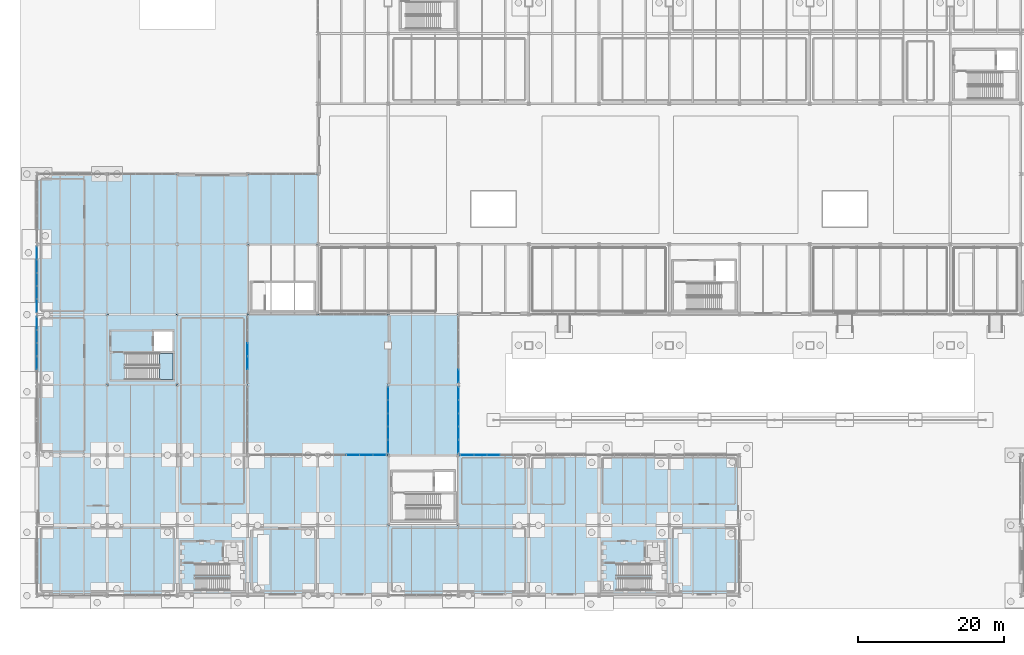
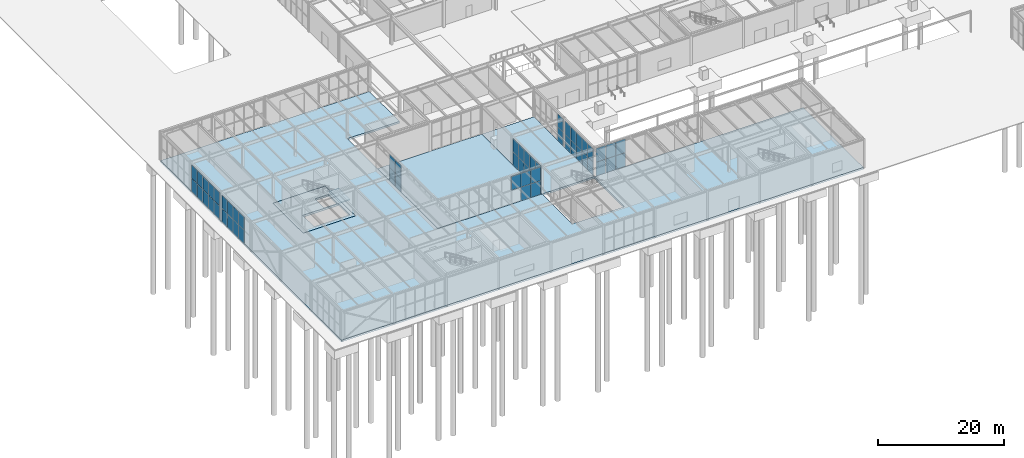
# One storey, part 105 of 142: 55 plates, 5 slabs, 9 elements without a shape of their own.
"""IFC4 building model written with IfcOpenShell, lengths in metres."""

from ifc_helpers import new_model, si_unit, direction, frame, origin, origin_2d, place, context, subcontext, project, spatial, polyline, rectangle, outline, extrude, material, layer, layer_set, type_object, element, aggregate, save


model = new_model("IFC4")

# Units and contexts
model_context = context("Model", 3, precision=1e-05, world=origin(), true_north=direction((0.0, 1.0)))
body_context = subcontext(model_context, "Body", "Model", "MODEL_VIEW")
ifc_project = project(units=[si_unit("LENGTHUNIT", "METRE"), si_unit("AREAUNIT", "SQUARE_METRE"), si_unit("VOLUMEUNIT", "CUBIC_METRE"), si_unit("PLANEANGLEUNIT", "RADIAN"), si_unit("MASSUNIT", "GRAM", prefix="KILO")], contexts=[model_context])

# Site, building, storey
site_placement = place(None, origin())
site = spatial("IfcSite", under=ifc_project, at=site_placement, CompositionType="ELEMENT")
building_placement = place(site_placement, origin())
building = spatial("IfcBuilding", under=site, at=building_placement, Name="Coralgate Yard Interchange", CompositionType="ELEMENT")
storey_placement = place(building_placement, origin())
storey = spatial("IfcBuildingStorey", under=building, at=storey_placement, Name="L00", CompositionType="ELEMENT", Elevation=0.0)

# Curtain wall, plates
ifc_material_1 = material(Name="Anodised coastal aluminium and solar-control low-E glass", Category="aluminium")
curtain_wall_type_1 = type_object("IfcCurtainWallType", Name="CW-CW-L00-A", PredefinedType="NOTDEFINED", material=ifc_material_1)
curtain_wall_1_placement = place(storey_placement, origin())
curtain_wall_1 = element("IfcCurtainWall", 1, at=curtain_wall_1_placement, inside=storey, type_object=curtain_wall_type_1, Name="L00 unitised curtain wall CW-L00-W-00-03", PredefinedType="NOTDEFINED")
ifc_material_2 = material(Name="Solar-control double-glazed low-E glass unit", Category="glass")
ifc_layer_1 = layer(ifc_material_2, 0.0419921875)
ifc_layer_set_1 = layer_set([ifc_layer_1], Name="Solar-control double-glazed low-E glass unit")
plate_type = type_object("IfcPlateType", Name="PLT-CP-42", PredefinedType="CURTAIN_PANEL", material=ifc_layer_set_1)
plate_1_placement = place(storey_placement, frame((0.0, 31.800048828125, 0.02490234375), z_axis=(0.0, 0.0, 1.0), x_axis=(0.0, 1.0, 0.0)))
plate_1 = element("IfcPlate", 2, at=plate_1_placement, type_object=plate_type, Name="CW-L00-W-00-03 solar-control glazing panel 2-1", PredefinedType="CURTAIN_PANEL", context=body_context, shape_type="SweptSolid", body=[
    extrude(rectangle(XDim=1.75, YDim=0.0419921875, at=origin_2d()), origin(), (0.0, 0.0, 1.0), 2.558349609375),
])
plate_2_placement = place(storey_placement, frame((0.0, 31.800048828125, 2.63330078125), z_axis=(0.0, 0.0, 1.0), x_axis=(0.0, 1.0, 0.0)))
plate_2 = element("IfcPlate", 3, at=plate_2_placement, type_object=plate_type, Name="CW-L00-W-00-03 solar-control glazing panel 2-2", PredefinedType="CURTAIN_PANEL", context=body_context, shape_type="SweptSolid", body=[
    extrude(rectangle(XDim=1.75, YDim=0.0419921875, at=origin_2d()), origin(), (0.0, 0.0, 1.0), 2.558349609375),
])
plate_3_placement = place(storey_placement, frame((0.0, 33.60009765625, 0.02490234375), z_axis=(0.0, 0.0, 1.0), x_axis=(0.0, 1.0, 0.0)))
plate_3 = element("IfcPlate", 4, at=plate_3_placement, type_object=plate_type, Name="CW-L00-W-00-03 solar-control glazing panel 3-1", PredefinedType="CURTAIN_PANEL", context=body_context, shape_type="SweptSolid", body=[
    extrude(rectangle(XDim=1.75, YDim=0.0419921875, at=origin_2d()), origin(), (0.0, 0.0, 1.0), 2.558349609375),
])
plate_4_placement = place(storey_placement, frame((0.0, 33.60009765625, 2.63330078125), z_axis=(0.0, 0.0, 1.0), x_axis=(0.0, 1.0, 0.0)))
plate_4 = element("IfcPlate", 5, at=plate_4_placement, type_object=plate_type, Name="CW-L00-W-00-03 solar-control glazing panel 3-2", PredefinedType="CURTAIN_PANEL", context=body_context, shape_type="SweptSolid", body=[
    extrude(rectangle(XDim=1.75, YDim=0.0419921875, at=origin_2d()), origin(), (0.0, 0.0, 1.0), 2.558349609375),
])
plate_5_placement = place(storey_placement, frame((0.0, 35.39990234375, 0.02490234375), z_axis=(0.0, 0.0, 1.0), x_axis=(0.0, 1.0, 0.0)))
plate_5 = element("IfcPlate", 6, at=plate_5_placement, type_object=plate_type, Name="CW-L00-W-00-03 solar-control glazing panel 4-1", PredefinedType="CURTAIN_PANEL", context=body_context, shape_type="SweptSolid", body=[
    extrude(rectangle(XDim=1.75, YDim=0.0419921875, at=origin_2d()), origin(), (0.0, 0.0, 1.0), 2.558349609375),
])
plate_6_placement = place(storey_placement, frame((0.0, 35.39990234375, 2.63330078125), z_axis=(0.0, 0.0, 1.0), x_axis=(0.0, 1.0, 0.0)))
plate_6 = element("IfcPlate", 7, at=plate_6_placement, type_object=plate_type, Name="CW-L00-W-00-03 solar-control glazing panel 4-2", PredefinedType="CURTAIN_PANEL", context=body_context, shape_type="SweptSolid", body=[
    extrude(rectangle(XDim=1.75, YDim=0.0419921875, at=origin_2d()), origin(), (0.0, 0.0, 1.0), 2.558349609375),
])
plate_7_placement = place(storey_placement, frame((0.0, 37.199951171875, 0.02490234375), z_axis=(0.0, 0.0, 1.0), x_axis=(0.0, 1.0, 0.0)))
plate_7 = element("IfcPlate", 8, at=plate_7_placement, type_object=plate_type, Name="CW-L00-W-00-03 solar-control glazing panel 5-1", PredefinedType="CURTAIN_PANEL", context=body_context, shape_type="SweptSolid", body=[
    extrude(rectangle(XDim=1.75, YDim=0.0419921875, at=origin_2d()), origin(), (0.0, 0.0, 1.0), 2.558349609375),
])
plate_8_placement = place(storey_placement, frame((0.0, 37.199951171875, 2.63330078125), z_axis=(0.0, 0.0, 1.0), x_axis=(0.0, 1.0, 0.0)))
plate_8 = element("IfcPlate", 9, at=plate_8_placement, type_object=plate_type, Name="CW-L00-W-00-03 solar-control glazing panel 5-2", PredefinedType="CURTAIN_PANEL", context=body_context, shape_type="SweptSolid", body=[
    extrude(rectangle(XDim=1.75, YDim=0.0419921875, at=origin_2d()), origin(), (0.0, 0.0, 1.0), 2.558349609375),
])
aggregate(curtain_wall_1, [plate_1, plate_2, plate_3, plate_4, plate_5, plate_6, plate_7, plate_8])

curtain_wall_type_2 = type_object("IfcCurtainWallType", Name="CW-CW-L00-B", PredefinedType="NOTDEFINED", material=ifc_material_1)
curtain_wall_2_placement = place(storey_placement, origin())
curtain_wall_2 = element("IfcCurtainWall", 10, at=curtain_wall_2_placement, inside=storey, type_object=curtain_wall_type_2, Name="L00 unitised curtain wall CW-L00-W-00-04", PredefinedType="NOTDEFINED")
plate_9_placement = place(storey_placement, frame((0.0, 39.60009765625, 0.02490234375), z_axis=(0.0, 0.0, 1.0), x_axis=(0.0, 1.0, 0.0)))
plate_9 = element("IfcPlate", 11, at=plate_9_placement, type_object=plate_type, Name="CW-L00-W-00-04 solar-control glazing panel 1-1", PredefinedType="CURTAIN_PANEL", context=body_context, shape_type="SweptSolid", body=[
    extrude(rectangle(XDim=1.75, YDim=0.0419921875, at=origin_2d()), origin(), (0.0, 0.0, 1.0), 2.558349609375),
])
plate_10_placement = place(storey_placement, frame((0.0, 39.60009765625, 2.63330078125), z_axis=(0.0, 0.0, 1.0), x_axis=(0.0, 1.0, 0.0)))
plate_10 = element("IfcPlate", 12, at=plate_10_placement, type_object=plate_type, Name="CW-L00-W-00-04 solar-control glazing panel 1-2", PredefinedType="CURTAIN_PANEL", context=body_context, shape_type="SweptSolid", body=[
    extrude(rectangle(XDim=1.75, YDim=0.0419921875, at=origin_2d()), origin(), (0.0, 0.0, 1.0), 2.558349609375),
])
plate_11_placement = place(storey_placement, frame((0.0, 41.39990234375, 0.02490234375), z_axis=(0.0, 0.0, 1.0), x_axis=(0.0, 1.0, 0.0)))
plate_11 = element("IfcPlate", 13, at=plate_11_placement, type_object=plate_type, Name="CW-L00-W-00-04 solar-control glazing panel 2-1", PredefinedType="CURTAIN_PANEL", context=body_context, shape_type="SweptSolid", body=[
    extrude(rectangle(XDim=1.75, YDim=0.0419921875, at=origin_2d()), origin(), (0.0, 0.0, 1.0), 2.558349609375),
])
plate_12_placement = place(storey_placement, frame((0.0, 41.39990234375, 2.63330078125), z_axis=(0.0, 0.0, 1.0), x_axis=(0.0, 1.0, 0.0)))
plate_12 = element("IfcPlate", 14, at=plate_12_placement, type_object=plate_type, Name="CW-L00-W-00-04 solar-control glazing panel 2-2", PredefinedType="CURTAIN_PANEL", context=body_context, shape_type="SweptSolid", body=[
    extrude(rectangle(XDim=1.75, YDim=0.0419921875, at=origin_2d()), origin(), (0.0, 0.0, 1.0), 2.558349609375),
])
plate_13_placement = place(storey_placement, frame((0.0, 43.199951171875, 0.02490234375), z_axis=(0.0, 0.0, 1.0), x_axis=(0.0, 1.0, 0.0)))
plate_13 = element("IfcPlate", 15, at=plate_13_placement, type_object=plate_type, Name="CW-L00-W-00-04 solar-control glazing panel 3-1", PredefinedType="CURTAIN_PANEL", context=body_context, shape_type="SweptSolid", body=[
    extrude(rectangle(XDim=1.75, YDim=0.0419921875, at=origin_2d()), origin(), (0.0, 0.0, 1.0), 2.558349609375),
])
plate_14_placement = place(storey_placement, frame((0.0, 43.199951171875, 2.63330078125), z_axis=(0.0, 0.0, 1.0), x_axis=(0.0, 1.0, 0.0)))
plate_14 = element("IfcPlate", 16, at=plate_14_placement, type_object=plate_type, Name="CW-L00-W-00-04 solar-control glazing panel 3-2", PredefinedType="CURTAIN_PANEL", context=body_context, shape_type="SweptSolid", body=[
    extrude(rectangle(XDim=1.75, YDim=0.0419921875, at=origin_2d()), origin(), (0.0, 0.0, 1.0), 2.558349609375),
])
plate_15_placement = place(storey_placement, frame((0.0, 45.0, 0.02490234375), z_axis=(0.0, 0.0, 1.0), x_axis=(0.0, 1.0, 0.0)))
plate_15 = element("IfcPlate", 17, at=plate_15_placement, type_object=plate_type, Name="CW-L00-W-00-04 solar-control glazing panel 4-1", PredefinedType="CURTAIN_PANEL", context=body_context, shape_type="SweptSolid", body=[
    extrude(rectangle(XDim=1.75, YDim=0.0419921875, at=origin_2d()), origin(), (0.0, 0.0, 1.0), 2.558349609375),
])
plate_16_placement = place(storey_placement, frame((0.0, 45.0, 2.63330078125), z_axis=(0.0, 0.0, 1.0), x_axis=(0.0, 1.0, 0.0)))
plate_16 = element("IfcPlate", 18, at=plate_16_placement, type_object=plate_type, Name="CW-L00-W-00-04 solar-control glazing panel 4-2", PredefinedType="CURTAIN_PANEL", context=body_context, shape_type="SweptSolid", body=[
    extrude(rectangle(XDim=1.75, YDim=0.0419921875, at=origin_2d()), origin(), (0.0, 0.0, 1.0), 2.558349609375),
])
plate_17_placement = place(storey_placement, frame((0.0, 46.800048828125, 0.02490234375), z_axis=(0.0, 0.0, 1.0), x_axis=(0.0, 1.0, 0.0)))
plate_17 = element("IfcPlate", 19, at=plate_17_placement, type_object=plate_type, Name="CW-L00-W-00-04 solar-control glazing panel 5-1", PredefinedType="CURTAIN_PANEL", context=body_context, shape_type="SweptSolid", body=[
    extrude(rectangle(XDim=1.75, YDim=0.0419921875, at=origin_2d()), origin(), (0.0, 0.0, 1.0), 2.558349609375),
])
plate_18_placement = place(storey_placement, frame((0.0, 46.800048828125, 2.63330078125), z_axis=(0.0, 0.0, 1.0), x_axis=(0.0, 1.0, 0.0)))
plate_18 = element("IfcPlate", 20, at=plate_18_placement, type_object=plate_type, Name="CW-L00-W-00-04 solar-control glazing panel 5-2", PredefinedType="CURTAIN_PANEL", context=body_context, shape_type="SweptSolid", body=[
    extrude(rectangle(XDim=1.75, YDim=0.0419921875, at=origin_2d()), origin(), (0.0, 0.0, 1.0), 2.558349609375),
])
aggregate(curtain_wall_2, [plate_9, plate_10, plate_11, plate_12, plate_13, plate_14, plate_15, plate_16, plate_17, plate_18])

curtain_wall_3_placement = place(storey_placement, origin())
curtain_wall_3 = element("IfcCurtainWall", 21, at=curtain_wall_3_placement, inside=storey, type_object=curtain_wall_type_1, Name="L00 unitised curtain wall CW-L00-E-02-03", PredefinedType="NOTDEFINED")
plate_19_placement = place(storey_placement, frame((28.800048828125, 33.60009765625, 0.02490234375), z_axis=(0.0, 0.0, 1.0), x_axis=(0.0, -1.0, 0.0)))
plate_19 = element("IfcPlate", 22, at=plate_19_placement, type_object=plate_type, Name="CW-L00-E-02-03 solar-control glazing panel 3-1", PredefinedType="CURTAIN_PANEL", context=body_context, shape_type="SweptSolid", body=[
    extrude(rectangle(XDim=1.75, YDim=0.0419921875, at=origin_2d()), origin(), (0.0, 0.0, 1.0), 2.558349609375),
])
plate_20_placement = place(storey_placement, frame((28.800048828125, 33.60009765625, 2.63330078125), z_axis=(0.0, 0.0, 1.0), x_axis=(0.0, -1.0, 0.0)))
plate_20 = element("IfcPlate", 23, at=plate_20_placement, type_object=plate_type, Name="CW-L00-E-02-03 solar-control glazing panel 3-2", PredefinedType="CURTAIN_PANEL", context=body_context, shape_type="SweptSolid", body=[
    extrude(rectangle(XDim=1.75, YDim=0.0419921875, at=origin_2d()), origin(), (0.0, 0.0, 1.0), 2.558349609375),
])
plate_21_placement = place(storey_placement, frame((28.800048828125, 31.800048828125, 0.02490234375), z_axis=(0.0, 0.0, 1.0), x_axis=(0.0, -1.0, 0.0)))
plate_21 = element("IfcPlate", 24, at=plate_21_placement, type_object=plate_type, Name="CW-L00-E-02-03 solar-control glazing panel 4-1", PredefinedType="CURTAIN_PANEL", context=body_context, shape_type="SweptSolid", body=[
    extrude(rectangle(XDim=1.75, YDim=0.0419921875, at=origin_2d()), origin(), (0.0, 0.0, 1.0), 2.558349609375),
])
plate_22_placement = place(storey_placement, frame((28.800048828125, 31.800048828125, 2.63330078125), z_axis=(0.0, 0.0, 1.0), x_axis=(0.0, -1.0, 0.0)))
plate_22 = element("IfcPlate", 25, at=plate_22_placement, type_object=plate_type, Name="CW-L00-E-02-03 solar-control glazing panel 4-2", PredefinedType="CURTAIN_PANEL", context=body_context, shape_type="SweptSolid", body=[
    extrude(rectangle(XDim=1.75, YDim=0.0419921875, at=origin_2d()), origin(), (0.0, 0.0, 1.0), 2.558349609375),
])
aggregate(curtain_wall_3, [plate_19, plate_20, plate_21, plate_22])

curtain_wall_4_placement = place(storey_placement, origin())
curtain_wall_4 = element("IfcCurtainWall", 26, at=curtain_wall_4_placement, inside=storey, type_object=curtain_wall_type_2, Name="L00 unitised curtain wall CW-L00-N-04-01", PredefinedType="NOTDEFINED")
plate_23_placement = place(storey_placement, frame((43.199951171875, 19.199951171875, 2.72509765625), z_axis=(0.0, 0.0, 1.0), x_axis=(1.0, 0.0, 0.0)))
plate_23 = element("IfcPlate", 27, at=plate_23_placement, type_object=plate_type, Name="CW-L00-N-04-01 solar-control glazing panel 3-2", PredefinedType="CURTAIN_PANEL", context=body_context, shape_type="SweptSolid", body=[
    extrude(rectangle(XDim=1.75, YDim=0.0419921875, at=origin_2d()), origin(), (0.0, 0.0, 1.0), 2.64990234375),
])
plate_24_placement = place(storey_placement, frame((45.0, 19.199951171875, 0.025146484375), z_axis=(0.0, 0.0, 1.0), x_axis=(1.0, 0.0, 0.0)))
plate_24 = element("IfcPlate", 28, at=plate_24_placement, type_object=plate_type, Name="CW-L00-N-04-01 solar-control glazing panel 4-1", PredefinedType="CURTAIN_PANEL", context=body_context, shape_type="SweptSolid", body=[
    extrude(rectangle(XDim=1.75, YDim=0.0419921875, at=origin_2d()), origin(), (0.0, 0.0, 1.0), 2.64990234375),
])
plate_25_placement = place(storey_placement, frame((45.0, 19.199951171875, 2.72509765625), z_axis=(0.0, 0.0, 1.0), x_axis=(1.0, 0.0, 0.0)))
plate_25 = element("IfcPlate", 29, at=plate_25_placement, type_object=plate_type, Name="CW-L00-N-04-01 solar-control glazing panel 4-2", PredefinedType="CURTAIN_PANEL", context=body_context, shape_type="SweptSolid", body=[
    extrude(rectangle(XDim=1.75, YDim=0.0419921875, at=origin_2d()), origin(), (0.0, 0.0, 1.0), 2.64990234375),
])
plate_26_placement = place(storey_placement, frame((46.800048828125, 19.199951171875, 0.025146484375), z_axis=(0.0, 0.0, 1.0), x_axis=(1.0, 0.0, 0.0)))
plate_26 = element("IfcPlate", 30, at=plate_26_placement, type_object=plate_type, Name="CW-L00-N-04-01 solar-control glazing panel 5-1", PredefinedType="CURTAIN_PANEL", context=body_context, shape_type="SweptSolid", body=[
    extrude(rectangle(XDim=1.75, YDim=0.0419921875, at=origin_2d()), origin(), (0.0, 0.0, 1.0), 2.64990234375),
])
plate_27_placement = place(storey_placement, frame((46.800048828125, 19.199951171875, 2.72509765625), z_axis=(0.0, 0.0, 1.0), x_axis=(1.0, 0.0, 0.0)))
plate_27 = element("IfcPlate", 31, at=plate_27_placement, type_object=plate_type, Name="CW-L00-N-04-01 solar-control glazing panel 5-2", PredefinedType="CURTAIN_PANEL", context=body_context, shape_type="SweptSolid", body=[
    extrude(rectangle(XDim=1.75, YDim=0.0419921875, at=origin_2d()), origin(), (0.0, 0.0, 1.0), 2.64990234375),
])
aggregate(curtain_wall_4, [plate_23, plate_24, plate_25, plate_26, plate_27])

curtain_wall_5_placement = place(storey_placement, origin())
curtain_wall_5 = element("IfcCurtainWall", 32, at=curtain_wall_5_placement, inside=storey, type_object=curtain_wall_type_2, Name="L00 unitised curtain wall CW-L00-W-05-02", PredefinedType="NOTDEFINED")
plate_28_placement = place(storey_placement, frame((48.0, 20.39990234375, 0.02490234375), z_axis=(0.0, 0.0, 1.0), x_axis=(0.0, 1.0, 0.0)))
plate_28 = element("IfcPlate", 33, at=plate_28_placement, type_object=plate_type, Name="CW-L00-W-05-02 solar-control glazing panel 1-1", PredefinedType="CURTAIN_PANEL", context=body_context, shape_type="SweptSolid", body=[
    extrude(rectangle(XDim=1.75, YDim=0.0419921875, at=origin_2d()), origin(), (0.0, 0.0, 1.0), 2.558349609375),
])
plate_29_placement = place(storey_placement, frame((48.0, 20.39990234375, 2.63330078125), z_axis=(0.0, 0.0, 1.0), x_axis=(0.0, 1.0, 0.0)))
plate_29 = element("IfcPlate", 34, at=plate_29_placement, type_object=plate_type, Name="CW-L00-W-05-02 solar-control glazing panel 1-2", PredefinedType="CURTAIN_PANEL", context=body_context, shape_type="SweptSolid", body=[
    extrude(rectangle(XDim=1.75, YDim=0.0419921875, at=origin_2d()), origin(), (0.0, 0.0, 1.0), 2.558349609375),
])
plate_30_placement = place(storey_placement, frame((48.0, 22.199951171875, 0.02490234375), z_axis=(0.0, 0.0, 1.0), x_axis=(0.0, 1.0, 0.0)))
plate_30 = element("IfcPlate", 35, at=plate_30_placement, type_object=plate_type, Name="CW-L00-W-05-02 solar-control glazing panel 2-1", PredefinedType="CURTAIN_PANEL", context=body_context, shape_type="SweptSolid", body=[
    extrude(rectangle(XDim=1.75, YDim=0.0419921875, at=origin_2d()), origin(), (0.0, 0.0, 1.0), 2.558349609375),
])
plate_31_placement = place(storey_placement, frame((48.0, 22.199951171875, 2.63330078125), z_axis=(0.0, 0.0, 1.0), x_axis=(0.0, 1.0, 0.0)))
plate_31 = element("IfcPlate", 36, at=plate_31_placement, type_object=plate_type, Name="CW-L00-W-05-02 solar-control glazing panel 2-2", PredefinedType="CURTAIN_PANEL", context=body_context, shape_type="SweptSolid", body=[
    extrude(rectangle(XDim=1.75, YDim=0.0419921875, at=origin_2d()), origin(), (0.0, 0.0, 1.0), 2.558349609375),
])
plate_32_placement = place(storey_placement, frame((48.0, 24.0, 0.02490234375), z_axis=(0.0, 0.0, 1.0), x_axis=(0.0, 1.0, 0.0)))
plate_32 = element("IfcPlate", 37, at=plate_32_placement, type_object=plate_type, Name="CW-L00-W-05-02 solar-control glazing panel 3-1", PredefinedType="CURTAIN_PANEL", context=body_context, shape_type="SweptSolid", body=[
    extrude(rectangle(XDim=1.75, YDim=0.0419921875, at=origin_2d()), origin(), (0.0, 0.0, 1.0), 2.558349609375),
])
plate_33_placement = place(storey_placement, frame((48.0, 24.0, 2.63330078125), z_axis=(0.0, 0.0, 1.0), x_axis=(0.0, 1.0, 0.0)))
plate_33 = element("IfcPlate", 38, at=plate_33_placement, type_object=plate_type, Name="CW-L00-W-05-02 solar-control glazing panel 3-2", PredefinedType="CURTAIN_PANEL", context=body_context, shape_type="SweptSolid", body=[
    extrude(rectangle(XDim=1.75, YDim=0.0419921875, at=origin_2d()), origin(), (0.0, 0.0, 1.0), 2.558349609375),
])
plate_34_placement = place(storey_placement, frame((48.0, 25.800048828125, 0.02490234375), z_axis=(0.0, 0.0, 1.0), x_axis=(0.0, 1.0, 0.0)))
plate_34 = element("IfcPlate", 39, at=plate_34_placement, type_object=plate_type, Name="CW-L00-W-05-02 solar-control glazing panel 4-1", PredefinedType="CURTAIN_PANEL", context=body_context, shape_type="SweptSolid", body=[
    extrude(rectangle(XDim=1.75, YDim=0.0419921875, at=origin_2d()), origin(), (0.0, 0.0, 1.0), 2.558349609375),
])
plate_35_placement = place(storey_placement, frame((48.0, 25.800048828125, 2.63330078125), z_axis=(0.0, 0.0, 1.0), x_axis=(0.0, 1.0, 0.0)))
plate_35 = element("IfcPlate", 40, at=plate_35_placement, type_object=plate_type, Name="CW-L00-W-05-02 solar-control glazing panel 4-2", PredefinedType="CURTAIN_PANEL", context=body_context, shape_type="SweptSolid", body=[
    extrude(rectangle(XDim=1.75, YDim=0.0419921875, at=origin_2d()), origin(), (0.0, 0.0, 1.0), 2.558349609375),
])
plate_36_placement = place(storey_placement, frame((48.0, 27.60009765625, 0.02490234375), z_axis=(0.0, 0.0, 1.0), x_axis=(0.0, 1.0, 0.0)))
plate_36 = element("IfcPlate", 41, at=plate_36_placement, type_object=plate_type, Name="CW-L00-W-05-02 solar-control glazing panel 5-1", PredefinedType="CURTAIN_PANEL", context=body_context, shape_type="SweptSolid", body=[
    extrude(rectangle(XDim=1.75, YDim=0.0419921875, at=origin_2d()), origin(), (0.0, 0.0, 1.0), 2.558349609375),
])
plate_37_placement = place(storey_placement, frame((48.0, 27.60009765625, 2.63330078125), z_axis=(0.0, 0.0, 1.0), x_axis=(0.0, 1.0, 0.0)))
plate_37 = element("IfcPlate", 42, at=plate_37_placement, type_object=plate_type, Name="CW-L00-W-05-02 solar-control glazing panel 5-2", PredefinedType="CURTAIN_PANEL", context=body_context, shape_type="SweptSolid", body=[
    extrude(rectangle(XDim=1.75, YDim=0.0419921875, at=origin_2d()), origin(), (0.0, 0.0, 1.0), 2.558349609375),
])
aggregate(curtain_wall_5, [plate_28, plate_29, plate_30, plate_31, plate_32, plate_33, plate_34, plate_35, plate_36, plate_37])

curtain_wall_6_placement = place(storey_placement, origin())
curtain_wall_6 = element("IfcCurtainWall", 43, at=curtain_wall_6_placement, inside=storey, type_object=curtain_wall_type_1, Name="L00 unitised curtain wall CW-L00-E-05-02", PredefinedType="NOTDEFINED")
plate_38_placement = place(storey_placement, frame((57.60009765625, 27.60009765625, 0.02490234375), z_axis=(0.0, 0.0, 1.0), x_axis=(0.0, -1.0, 0.0)))
plate_38 = element("IfcPlate", 44, at=plate_38_placement, type_object=plate_type, Name="CW-L00-E-05-02 solar-control glazing panel 1-1", PredefinedType="CURTAIN_PANEL", context=body_context, shape_type="SweptSolid", body=[
    extrude(rectangle(XDim=1.75, YDim=0.0419921875, at=origin_2d()), origin(), (0.0, 0.0, 1.0), 2.558349609375),
])
plate_39_placement = place(storey_placement, frame((57.60009765625, 27.60009765625, 2.63330078125), z_axis=(0.0, 0.0, 1.0), x_axis=(0.0, -1.0, 0.0)))
plate_39 = element("IfcPlate", 45, at=plate_39_placement, type_object=plate_type, Name="CW-L00-E-05-02 solar-control glazing panel 1-2", PredefinedType="CURTAIN_PANEL", context=body_context, shape_type="SweptSolid", body=[
    extrude(rectangle(XDim=1.75, YDim=0.0419921875, at=origin_2d()), origin(), (0.0, 0.0, 1.0), 2.558349609375),
])
plate_40_placement = place(storey_placement, frame((57.60009765625, 25.800048828125, 0.02490234375), z_axis=(0.0, 0.0, 1.0), x_axis=(0.0, -1.0, 0.0)))
plate_40 = element("IfcPlate", 46, at=plate_40_placement, type_object=plate_type, Name="CW-L00-E-05-02 solar-control glazing panel 2-1", PredefinedType="CURTAIN_PANEL", context=body_context, shape_type="SweptSolid", body=[
    extrude(rectangle(XDim=1.75, YDim=0.0419921875, at=origin_2d()), origin(), (0.0, 0.0, 1.0), 2.558349609375),
])
plate_41_placement = place(storey_placement, frame((57.60009765625, 25.800048828125, 2.63330078125), z_axis=(0.0, 0.0, 1.0), x_axis=(0.0, -1.0, 0.0)))
plate_41 = element("IfcPlate", 47, at=plate_41_placement, type_object=plate_type, Name="CW-L00-E-05-02 solar-control glazing panel 2-2", PredefinedType="CURTAIN_PANEL", context=body_context, shape_type="SweptSolid", body=[
    extrude(rectangle(XDim=1.75, YDim=0.0419921875, at=origin_2d()), origin(), (0.0, 0.0, 1.0), 2.558349609375),
])
plate_42_placement = place(storey_placement, frame((57.60009765625, 24.0, 0.02490234375), z_axis=(0.0, 0.0, 1.0), x_axis=(0.0, -1.0, 0.0)))
plate_42 = element("IfcPlate", 48, at=plate_42_placement, type_object=plate_type, Name="CW-L00-E-05-02 solar-control glazing panel 3-1", PredefinedType="CURTAIN_PANEL", context=body_context, shape_type="SweptSolid", body=[
    extrude(rectangle(XDim=1.75, YDim=0.0419921875, at=origin_2d()), origin(), (0.0, 0.0, 1.0), 2.558349609375),
])
plate_43_placement = place(storey_placement, frame((57.60009765625, 24.0, 2.63330078125), z_axis=(0.0, 0.0, 1.0), x_axis=(0.0, -1.0, 0.0)))
plate_43 = element("IfcPlate", 49, at=plate_43_placement, type_object=plate_type, Name="CW-L00-E-05-02 solar-control glazing panel 3-2", PredefinedType="CURTAIN_PANEL", context=body_context, shape_type="SweptSolid", body=[
    extrude(rectangle(XDim=1.75, YDim=0.0419921875, at=origin_2d()), origin(), (0.0, 0.0, 1.0), 2.558349609375),
])
plate_44_placement = place(storey_placement, frame((57.60009765625, 22.199951171875, 0.02490234375), z_axis=(0.0, 0.0, 1.0), x_axis=(0.0, -1.0, 0.0)))
plate_44 = element("IfcPlate", 50, at=plate_44_placement, type_object=plate_type, Name="CW-L00-E-05-02 solar-control glazing panel 4-1", PredefinedType="CURTAIN_PANEL", context=body_context, shape_type="SweptSolid", body=[
    extrude(rectangle(XDim=1.75, YDim=0.0419921875, at=origin_2d()), origin(), (0.0, 0.0, 1.0), 2.558349609375),
])
plate_45_placement = place(storey_placement, frame((57.60009765625, 22.199951171875, 2.63330078125), z_axis=(0.0, 0.0, 1.0), x_axis=(0.0, -1.0, 0.0)))
plate_45 = element("IfcPlate", 51, at=plate_45_placement, type_object=plate_type, Name="CW-L00-E-05-02 solar-control glazing panel 4-2", PredefinedType="CURTAIN_PANEL", context=body_context, shape_type="SweptSolid", body=[
    extrude(rectangle(XDim=1.75, YDim=0.0419921875, at=origin_2d()), origin(), (0.0, 0.0, 1.0), 2.558349609375),
])
plate_46_placement = place(storey_placement, frame((57.60009765625, 20.39990234375, 0.02490234375), z_axis=(0.0, 0.0, 1.0), x_axis=(0.0, -1.0, 0.0)))
plate_46 = element("IfcPlate", 52, at=plate_46_placement, type_object=plate_type, Name="CW-L00-E-05-02 solar-control glazing panel 5-1", PredefinedType="CURTAIN_PANEL", context=body_context, shape_type="SweptSolid", body=[
    extrude(rectangle(XDim=1.75, YDim=0.0419921875, at=origin_2d()), origin(), (0.0, 0.0, 1.0), 2.558349609375),
])
plate_47_placement = place(storey_placement, frame((57.60009765625, 20.39990234375, 2.63330078125), z_axis=(0.0, 0.0, 1.0), x_axis=(0.0, -1.0, 0.0)))
plate_47 = element("IfcPlate", 53, at=plate_47_placement, type_object=plate_type, Name="CW-L00-E-05-02 solar-control glazing panel 5-2", PredefinedType="CURTAIN_PANEL", context=body_context, shape_type="SweptSolid", body=[
    extrude(rectangle(XDim=1.75, YDim=0.0419921875, at=origin_2d()), origin(), (0.0, 0.0, 1.0), 2.558349609375),
])
aggregate(curtain_wall_6, [plate_38, plate_39, plate_40, plate_41, plate_42, plate_43, plate_44, plate_45, plate_46, plate_47])

curtain_wall_7_placement = place(storey_placement, origin())
curtain_wall_7 = element("IfcCurtainWall", 54, at=curtain_wall_7_placement, inside=storey, type_object=curtain_wall_type_1, Name="L00 unitised curtain wall CW-L00-E-05-03", PredefinedType="NOTDEFINED")
plate_48_placement = place(storey_placement, frame((57.60009765625, 30.0, 0.02490234375), z_axis=(0.0, 0.0, 1.0), x_axis=(0.0, -1.0, 0.0)))
plate_48 = element("IfcPlate", 55, at=plate_48_placement, type_object=plate_type, Name="CW-L00-E-05-03 solar-control glazing panel 5-1", PredefinedType="CURTAIN_PANEL", context=body_context, shape_type="SweptSolid", body=[
    extrude(rectangle(XDim=1.75, YDim=0.0419921875, at=origin_2d()), origin(), (0.0, 0.0, 1.0), 2.558349609375),
])
plate_49_placement = place(storey_placement, frame((57.60009765625, 30.0, 2.63330078125), z_axis=(0.0, 0.0, 1.0), x_axis=(0.0, -1.0, 0.0)))
plate_49 = element("IfcPlate", 56, at=plate_49_placement, type_object=plate_type, Name="CW-L00-E-05-03 solar-control glazing panel 5-2", PredefinedType="CURTAIN_PANEL", context=body_context, shape_type="SweptSolid", body=[
    extrude(rectangle(XDim=1.75, YDim=0.0419921875, at=origin_2d()), origin(), (0.0, 0.0, 1.0), 2.558349609375),
])
aggregate(curtain_wall_7, [plate_48, plate_49])

curtain_wall_8_placement = place(storey_placement, origin())
curtain_wall_8 = element("IfcCurtainWall", 57, at=curtain_wall_8_placement, inside=storey, type_object=curtain_wall_type_2, Name="L00 unitised curtain wall CW-L00-N-06-01", PredefinedType="NOTDEFINED")
plate_50_placement = place(storey_placement, frame((58.800048828125, 19.199951171875, 0.025146484375), z_axis=(0.0, 0.0, 1.0), x_axis=(1.0, 0.0, 0.0)))
plate_50 = element("IfcPlate", 58, at=plate_50_placement, type_object=plate_type, Name="CW-L00-N-06-01 solar-control glazing panel 1-1", PredefinedType="CURTAIN_PANEL", context=body_context, shape_type="SweptSolid", body=[
    extrude(rectangle(XDim=1.75, YDim=0.0419921875, at=origin_2d()), origin(), (0.0, 0.0, 1.0), 2.64990234375),
])
plate_51_placement = place(storey_placement, frame((58.800048828125, 19.199951171875, 2.72509765625), z_axis=(0.0, 0.0, 1.0), x_axis=(1.0, 0.0, 0.0)))
plate_51 = element("IfcPlate", 59, at=plate_51_placement, type_object=plate_type, Name="CW-L00-N-06-01 solar-control glazing panel 1-2", PredefinedType="CURTAIN_PANEL", context=body_context, shape_type="SweptSolid", body=[
    extrude(rectangle(XDim=1.75, YDim=0.0419921875, at=origin_2d()), origin(), (0.0, 0.0, 1.0), 2.64990234375),
])
plate_52_placement = place(storey_placement, frame((60.60009765625, 19.199951171875, 0.025146484375), z_axis=(0.0, 0.0, 1.0), x_axis=(1.0, 0.0, 0.0)))
plate_52 = element("IfcPlate", 60, at=plate_52_placement, type_object=plate_type, Name="CW-L00-N-06-01 solar-control glazing panel 2-1", PredefinedType="CURTAIN_PANEL", context=body_context, shape_type="SweptSolid", body=[
    extrude(rectangle(XDim=1.75, YDim=0.0419921875, at=origin_2d()), origin(), (0.0, 0.0, 1.0), 2.64990234375),
])
plate_53_placement = place(storey_placement, frame((60.60009765625, 19.199951171875, 2.72509765625), z_axis=(0.0, 0.0, 1.0), x_axis=(1.0, 0.0, 0.0)))
plate_53 = element("IfcPlate", 61, at=plate_53_placement, type_object=plate_type, Name="CW-L00-N-06-01 solar-control glazing panel 2-2", PredefinedType="CURTAIN_PANEL", context=body_context, shape_type="SweptSolid", body=[
    extrude(rectangle(XDim=1.75, YDim=0.0419921875, at=origin_2d()), origin(), (0.0, 0.0, 1.0), 2.64990234375),
])
plate_54_placement = place(storey_placement, frame((62.39990234375, 19.199951171875, 0.025146484375), z_axis=(0.0, 0.0, 1.0), x_axis=(1.0, 0.0, 0.0)))
plate_54 = element("IfcPlate", 62, at=plate_54_placement, type_object=plate_type, Name="CW-L00-N-06-01 solar-control glazing panel 3-1", PredefinedType="CURTAIN_PANEL", context=body_context, shape_type="SweptSolid", body=[
    extrude(rectangle(XDim=1.75, YDim=0.0419921875, at=origin_2d()), origin(), (0.0, 0.0, 1.0), 2.64990234375),
])
plate_55_placement = place(storey_placement, frame((62.39990234375, 19.199951171875, 2.72509765625), z_axis=(0.0, 0.0, 1.0), x_axis=(1.0, 0.0, 0.0)))
plate_55 = element("IfcPlate", 63, at=plate_55_placement, type_object=plate_type, Name="CW-L00-N-06-01 solar-control glazing panel 3-2", PredefinedType="CURTAIN_PANEL", context=body_context, shape_type="SweptSolid", body=[
    extrude(rectangle(XDim=1.75, YDim=0.0419921875, at=origin_2d()), origin(), (0.0, 0.0, 1.0), 2.64990234375),
])
aggregate(curtain_wall_8, [plate_50, plate_51, plate_52, plate_53, plate_54, plate_55])

# Stair, slab
ifc_material_3 = material(Name="Concrete C40/50", Category="concrete")
stair_type = type_object("IfcStairType", Name="STR-DL-165-60", PredefinedType="HALF_TURN_STAIR", material=ifc_material_3)
stair_placement = place(storey_placement, origin())
stair = element("IfcStair", 64, at=stair_placement, inside=storey, type_object=stair_type, Name="L00 Escape stair ST-01", PredefinedType="HALF_TURN_STAIR")
ifc_layer_2 = layer(ifc_material_3, 0.199951171875)
ifc_layer_set_2 = layer_set([ifc_layer_2], Name="Concrete C40/50")
slab_type_1 = type_object("IfcSlabType", Name="SLB-LND200", PredefinedType="LANDING", material=ifc_layer_set_2)
slab_1_placement = place(storey_placement, frame((0.0, 0.0, 2.800048828125)))
slab_1 = element("IfcSlab", 65, at=slab_1_placement, type_object=slab_type_1, Name="ST-01 landing 1", PredefinedType="LANDING", context=body_context, shape_type="SweptSolid", body=[
    extrude(outline(polyline([(16.760009765625, 29.52001953125), (18.60009765625, 29.52001953125), (18.60009765625, 33.110107421875), (16.760009765625, 33.110107421875), (16.760009765625, 29.52001953125)])), origin(), (0.0, 0.0, 1.0), 0.199951171875),
])
aggregate(stair, [slab_1])

# Slabs
ifc_layer_3 = layer(ifc_material_3, 0.39990234375)
ifc_layer_set_3 = layer_set([ifc_layer_3], Name="Concrete C40/50")
slab_type_2 = type_object("IfcSlabType", Name="SLB-SL-GND400", PredefinedType="FLOOR", material=ifc_layer_set_3)
slab_2_placement = place(storey_placement, frame((0.0, 0.0, -0.39990234375)))
element("IfcSlab", 66, at=slab_2_placement, inside=storey, type_object=slab_type_2, Name="L00 core C1 structural floor slab", PredefinedType="FLOOR", context=body_context, shape_type="SweptSolid", body=[
    extrude(outline(polyline([(19.199951171875, 38.39990234375), (19.199951171875, 28.800048828125), (9.60009765625, 28.800048828125), (9.60009765625, 38.39990234375), (19.199951171875, 38.39990234375)]), holes=[polyline([(18.60009765625, 33.110107421875), (12.02001953125, 33.110107421875), (12.02001953125, 29.52001953125), (18.60009765625, 29.52001953125), (18.60009765625, 33.110107421875)]), polyline([(18.5, 33.25), (18.5, 36.10009765625), (16.0, 36.10009765625), (16.0, 33.25), (18.5, 33.25)])]), origin(), (0.0, 0.0, 1.0), 0.39990234375),
])
ifc_layer_4 = layer(ifc_material_3, 0.360107421875)
ifc_layer_set_4 = layer_set([ifc_layer_4], Name="Concrete C40/50")
slab_type_3 = type_object("IfcSlabType", Name="SLB-SL-SOG360", PredefinedType="BASESLAB", material=ifc_layer_set_4)
slab_3_placement = place(storey_placement, frame((0.0, 0.0, -0.360107421875)))
element("IfcSlab", 67, at=slab_3_placement, inside=storey, type_object=slab_type_3, Name="L00 operations wing L-shaped ground slab", PredefinedType="BASESLAB", context=body_context, shape_type="SweptSolid", body=[
    extrude(outline(polyline([(0.0, 0.0), (0.0, 9.60009765625), (0.0, 19.199951171875), (0.0, 28.800048828125), (0.0, 38.39990234375), (0.0, 48.0), (0.0, 57.60009765625), (9.60009765625, 57.60009765625), (19.199951171875, 57.60009765625), (28.800048828125, 57.60009765625), (38.39990234375, 57.60009765625), (38.39990234375, 48.0), (28.800048828125, 48.0), (28.800048828125, 38.39990234375), (28.800048828125, 28.800048828125), (28.800048828125, 19.199951171875), (38.39990234375, 19.199951171875), (48.0, 19.199951171875), (48.0, 9.60009765625), (57.60009765625, 9.60009765625), (57.60009765625, 19.199951171875), (67.199951171875, 19.199951171875), (76.800048828125, 19.199951171875), (86.39990234375, 19.199951171875), (96.0, 19.199951171875), (96.0, 9.60009765625), (96.0, 0.0), (86.39990234375, 0.0), (76.800048828125, 0.0), (67.199951171875, 0.0), (57.60009765625, 0.0), (48.0, 0.0), (38.39990234375, 0.0), (28.800048828125, 0.0), (19.199951171875, 0.0), (9.60009765625, 0.0), (0.0, 0.0)]), holes=[polyline([(19.199951171875, 38.39990234375), (9.60009765625, 38.39990234375), (9.60009765625, 28.800048828125), (19.199951171875, 28.800048828125), (19.199951171875, 38.39990234375)])]), origin(), (0.0, 0.0, 1.0), 0.360107421875),
])
slab_4_placement = place(storey_placement, frame((0.0, 0.0, -0.360107421875)))
element("IfcSlab", 68, at=slab_4_placement, inside=storey, type_object=slab_type_3, Name="L00 operations wing L-shaped ground slab", PredefinedType="BASESLAB", context=body_context, shape_type="SweptSolid", body=[
    extrude(outline(polyline([(57.60009765625, 38.39990234375), (57.60009765625, 28.800048828125), (57.60009765625, 19.199951171875), (48.0, 19.199951171875), (48.0, 28.800048828125), (48.0, 38.39990234375), (57.60009765625, 38.39990234375)])), origin(), (0.0, 0.0, 1.0), 0.360107421875),
])
ifc_material_4 = material(Name="Concrete C35/45", Category="concrete")
ifc_layer_5 = layer(ifc_material_4, 0.159912109375)
ifc_layer_set_5 = layer_set([ifc_layer_5], Name="Concrete C35/45")
slab_type_4 = type_object("IfcSlabType", Name="SLB-SL-WLK160", PredefinedType="BASESLAB", material=ifc_layer_set_5)
slab_5_placement = place(storey_placement, frame((0.0, 0.0, -0.179931640625)))
element("IfcSlab", 69, at=slab_5_placement, inside=storey, type_object=slab_type_4, Name="External intermodal loop apron and forecourt paving 2", PredefinedType="BASESLAB", context=body_context, shape_type="SweptSolid", body=[
    extrude(outline(polyline([(48.0, 19.199951171875), (38.39990234375, 19.199951171875), (28.800048828125, 19.199951171875), (28.800048828125, 28.800048828125), (28.800048828125, 38.39990234375), (38.39990234375, 38.39990234375), (48.0, 38.39990234375), (48.0, 28.800048828125), (48.0, 19.199951171875)])), origin(), (0.0, 0.0, 1.0), 0.179931640625),
])

save(model, "model.ifc")
